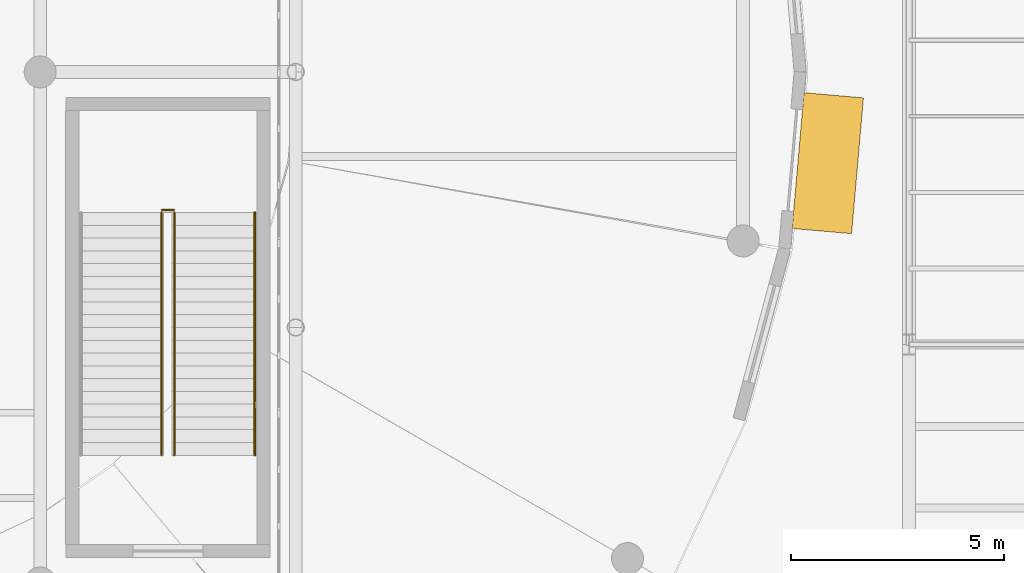
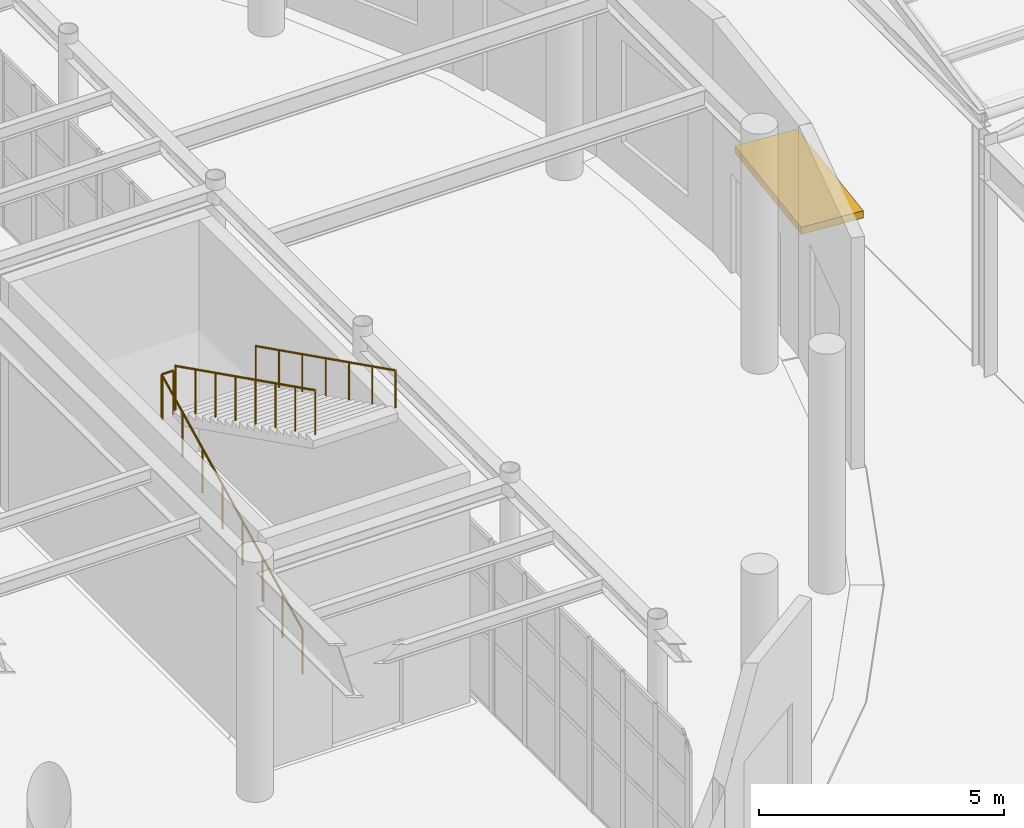
# One storey, part 116 of 118: 4 railings, 1 shading device, 1 element without a shape of its own.
"""IFC4 building model written with IfcOpenShell, lengths in metres."""

from ifc_helpers import new_model, si_unit, direction, frame, origin, origin_2d, place, context, subcontext, project, spatial, rectangle, circle, extrude, material, type_object, element, aggregate, save


model = new_model("IFC4")

# Units and contexts
model_context = context("Model", 3, precision=1e-05, world=origin(), true_north=direction((0.0, 1.0)))
body_context = subcontext(model_context, "Body", "Model", "MODEL_VIEW")
ifc_project = project(units=[si_unit("LENGTHUNIT", "METRE"), si_unit("AREAUNIT", "SQUARE_METRE"), si_unit("VOLUMEUNIT", "CUBIC_METRE"), si_unit("PLANEANGLEUNIT", "RADIAN"), si_unit("MASSUNIT", "GRAM", prefix="KILO")], contexts=[model_context])

# Site, building, storey
site_placement = place(None, origin())
site = spatial("IfcSite", under=ifc_project, at=site_placement, CompositionType="ELEMENT")
building_placement = place(site_placement, origin())
building = spatial("IfcBuilding", under=site, at=building_placement, Name="Kolvaren Corner Interchange", CompositionType="ELEMENT")
storey_placement = place(building_placement, origin())
storey = spatial("IfcBuildingStorey", under=building, at=storey_placement, Name="L01", CompositionType="ELEMENT", Elevation=0.0)

# Stair, railings
ifc_material_1 = material(Name="Concrete C35/45", Category="concrete")
stair_type = type_object("IfcStairType", Name="ST-GL-2000", PredefinedType="HALF_TURN_STAIR", material=ifc_material_1)
stair_placement = place(storey_placement, origin())
stair = element("IfcStair", 1, at=stair_placement, inside=storey, type_object=stair_type, Name="East Racetrack Concourse Gallery Stair L01 to L02 Stair", PredefinedType="HALF_TURN_STAIR")
ifc_material_2 = material(Name="Powder-Coated Steel Stairwell Guardrail", Category="steel")
railing_type_1 = type_object("IfcRailingType", Name="RLT-STAIR-GRD1120", PredefinedType="GUARDRAIL", material=ifc_material_2)
railing_1_placement = place(storey_placement, frame((128.85009765625, 39.0, 0.14990234375)))
railing_1 = element("IfcRailing", 2, at=railing_1_placement, type_object=railing_type_1, Name="East Racetrack Concourse Gallery Stair L01 Lower Flight Well Guardrail", PredefinedType="GUARDRAIL", context=body_context, shape_type="SweptSolid", body=[
    extrude(circle(Radius=0.02392578125, at=origin_2d()), frame((0.0, 0.0, 1.09619140625), z_axis=(0.0, 0.894419528903, 0.447228919365), x_axis=(-1.0, 0.0, 0.0)), (0.0, 0.0, 1.0), 6.372802734375),
    extrude(circle(Radius=0.02001953125, at=origin_2d()), origin(), (0.0, 0.0, 1.0), 1.072021484375),
    extrude(circle(Radius=0.02001953125, at=origin_2d()), frame((0.0, 0.814208984375, 0.4072265625)), (0.0, 0.0, 1.0), 1.072021484375),
    extrude(circle(Radius=0.02001953125, at=origin_2d()), frame((0.0, 1.628662109375, 0.814208984375)), (0.0, 0.0, 1.0), 1.072021484375),
    extrude(circle(Radius=0.02001953125, at=origin_2d()), frame((0.0, 2.44287109375, 1.221435546875)), (0.0, 0.0, 1.0), 1.072021484375),
    extrude(circle(Radius=0.02001953125, at=origin_2d()), frame((0.0, 3.257080078125, 1.628662109375)), (0.0, 0.0, 1.0), 1.072021484375),
    extrude(circle(Radius=0.02001953125, at=origin_2d()), frame((0.0, 4.0712890625, 2.035888671875)), (0.0, 0.0, 1.0), 1.072021484375),
    extrude(circle(Radius=0.02001953125, at=origin_2d()), frame((0.0, 4.8857421875, 2.44287109375)), (0.0, 0.0, 1.0), 1.072021484375),
    extrude(circle(Radius=0.02001953125, at=origin_2d()), frame((0.0, 5.699951171875, 2.85009765625)), (0.0, 0.0, 1.0), 1.072021484375),
])
railing_2_placement = place(storey_placement, frame((128.860107421875, 44.760009765625, 3.0)))
railing_2 = element("IfcRailing", 3, at=railing_2_placement, type_object=railing_type_1, Name="East Racetrack Concourse Gallery Stair L01 Half Landing Well Guardrail", PredefinedType="GUARDRAIL", context=body_context, shape_type="SweptSolid", body=[
    extrude(circle(Radius=0.02392578125, at=origin_2d()), frame((0.0, 0.0, 1.09619140625), z_axis=(1.0, 0.0, 0.0), x_axis=(0.0, 1.0, 0.0)), (0.0, 0.0, 1.0), 0.27978515625),
    extrude(circle(Radius=0.02001953125, at=origin_2d()), origin(), (0.0, 0.0, 1.0), 1.072021484375),
    extrude(circle(Radius=0.02001953125, at=origin_2d()), frame((0.27978515625, 0.0, 0.0)), (0.0, 0.0, 1.0), 1.072021484375),
])
railing_3_placement = place(storey_placement, frame((129.14990234375, 44.699951171875, 3.14990234375)))
railing_3 = element("IfcRailing", 4, at=railing_3_placement, type_object=railing_type_1, Name="East Racetrack Concourse Gallery Stair L01 Upper Flight Well Guardrail", PredefinedType="GUARDRAIL", context=body_context, shape_type="SweptSolid", body=[
    extrude(circle(Radius=0.02392578125, at=origin_2d()), frame((0.0, 0.0, 1.09619140625), z_axis=(0.0, -0.894419528903, 0.447228919365), x_axis=(1.0, 0.0, 0.0)), (0.0, 0.0, 1.0), 6.372802734375),
    extrude(circle(Radius=0.02001953125, at=origin_2d()), origin(), (0.0, 0.0, 1.0), 1.072021484375),
    extrude(circle(Radius=0.02001953125, at=origin_2d()), frame((0.0, -0.814208984375, 0.4072265625)), (0.0, 0.0, 1.0), 1.072021484375),
    extrude(circle(Radius=0.02001953125, at=origin_2d()), frame((0.0, -1.628662109375, 0.814208984375)), (0.0, 0.0, 1.0), 1.072021484375),
    extrude(circle(Radius=0.02001953125, at=origin_2d()), frame((0.0, -2.44287109375, 1.221435546875)), (0.0, 0.0, 1.0), 1.072021484375),
    extrude(circle(Radius=0.02001953125, at=origin_2d()), frame((0.0, -3.257080078125, 1.628662109375)), (0.0, 0.0, 1.0), 1.072021484375),
    extrude(circle(Radius=0.02001953125, at=origin_2d()), frame((0.0, -4.0712890625, 2.035888671875)), (0.0, 0.0, 1.0), 1.072021484375),
    extrude(circle(Radius=0.02001953125, at=origin_2d()), frame((0.0, -4.8857421875, 2.44287109375)), (0.0, 0.0, 1.0), 1.072021484375),
    extrude(circle(Radius=0.02001953125, at=origin_2d()), frame((0.0, -5.699951171875, 2.85009765625)), (0.0, 0.0, 1.0), 1.072021484375),
])
ifc_material_3 = material(Name="Brushed Stainless Steel Stair Handrail", Category="steel")
railing_type_2 = type_object("IfcRailingType", Name="RLT-STAIR-HR950", PredefinedType="HANDRAIL", material=ifc_material_3)
railing_4_placement = place(storey_placement, frame((131.0400390625, 44.699951171875, 3.14990234375)))
railing_4 = element("IfcRailing", 5, at=railing_4_placement, type_object=railing_type_2, Name="East Racetrack Concourse Gallery Stair L01 Upper Flight Wall Handrail", PredefinedType="HANDRAIL", context=body_context, shape_type="SweptSolid", body=[
    extrude(circle(Radius=0.02197265625, at=origin_2d()), frame((0.0, 0.0, 0.927978515625), z_axis=(0.0, -0.894419528903, 0.447228919365), x_axis=(1.0, 0.0, 0.0)), (0.0, 0.0, 1.0), 6.372802734375),
    extrude(circle(Radius=0.01806640625, at=origin_2d()), origin(), (0.0, 0.0, 1.0), 0.906005859375),
    extrude(circle(Radius=0.01806640625, at=origin_2d()), frame((0.0, -0.949951171875, 0.47509765625)), (0.0, 0.0, 1.0), 0.906005859375),
    extrude(circle(Radius=0.01806640625, at=origin_2d()), frame((0.0, -1.89990234375, 0.949951171875)), (0.0, 0.0, 1.0), 0.906005859375),
    extrude(circle(Radius=0.01806640625, at=origin_2d()), frame((0.0, -2.85009765625, 1.425048828125)), (0.0, 0.0, 1.0), 0.906005859375),
    extrude(circle(Radius=0.01806640625, at=origin_2d()), frame((0.0, -3.800048828125, 1.900146484375)), (0.0, 0.0, 1.0), 0.906005859375),
    extrude(circle(Radius=0.01806640625, at=origin_2d()), frame((0.0, -4.75, 2.375)), (0.0, 0.0, 1.0), 0.906005859375),
    extrude(circle(Radius=0.01806640625, at=origin_2d()), frame((0.0, -5.699951171875, 2.85009765625)), (0.0, 0.0, 1.0), 0.906005859375),
])
aggregate(stair, [railing_1, railing_2, railing_3, railing_4])

# Shading device
ifc_material_4 = material(Name="Anodised Aluminium Entrance Rain Canopy", Category="aluminium")
shading_device_type = type_object("IfcShadingDeviceType", Name="SHD-CAN-1400", PredefinedType="AWNING", material=ifc_material_4)
shading_device_placement = place(storey_placement, frame((144.49072265625, 45.857421875, 2.66015625), z_axis=(0.0, 0.0, 1.0), x_axis=(0.087155742748, 0.996194698092, 0.0)))
element("IfcShadingDevice", 6, at=shading_device_placement, inside=storey, type_object=shading_device_type, Name="Entrance Monsoon Rain Canopy 014", PredefinedType="AWNING", context=body_context, shape_type="SweptSolid", body=[
    extrude(rectangle(XDim=3.199951171875, YDim=1.39990234375, at=origin_2d()), origin(), (0.0, 0.0, 1.0), 0.179931640625),
])

save(model, "model.ifc")
